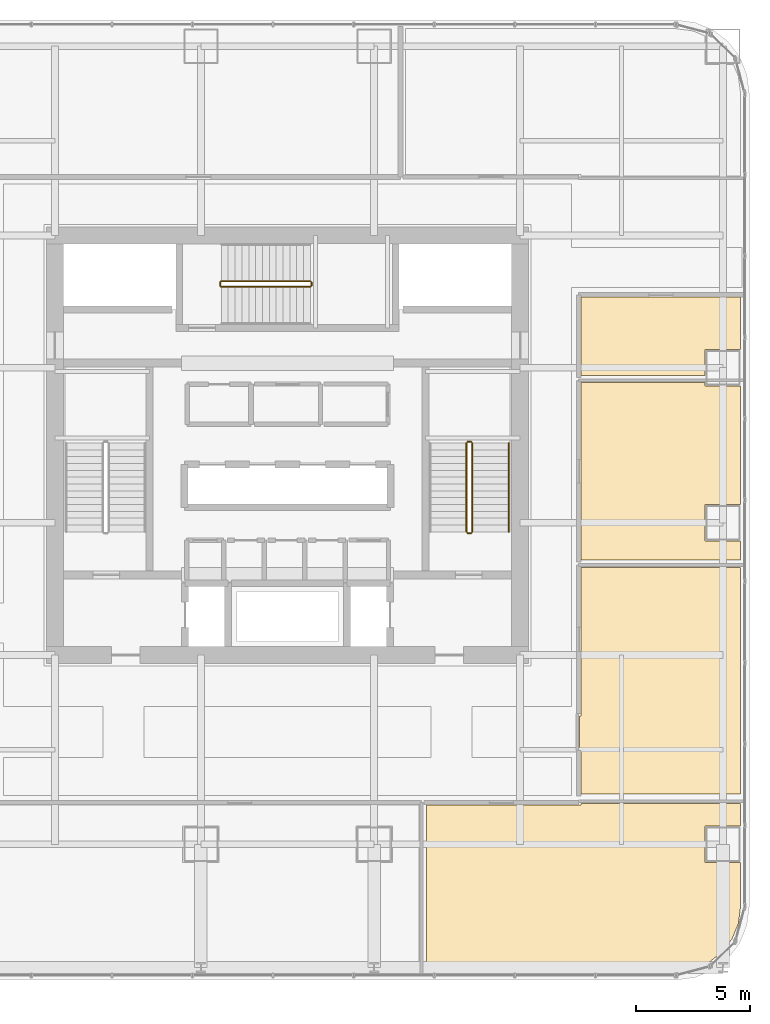
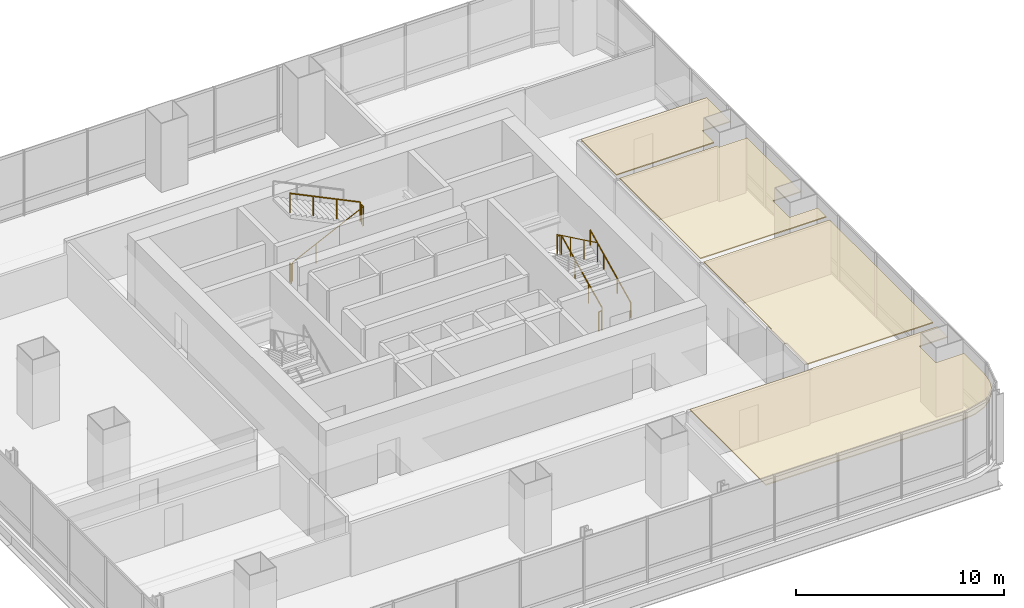
# One storey, part 34 of 35: 9 railings, 4 coverings.
"""IFC4 building model written with IfcOpenShell, lengths in metres."""

import ifcopenshell
import ifcopenshell.guid

model = None  # the IFC model being written
_history = None  # IfcOwnerHistory: only IFC2X3 demands one
_inside = {}  # id of a spatial element -> (the spatial element, [elements in it])
_under = {}  # id of a project, library or spatial element -> (it, [spatial elements below it])
_declared = {}  # id of a project -> (the project, [libraries it declares])
_typed = {}  # id of a type object -> (the type object, [elements of that type])
_made_of = {}  # id of a material, layer set ... -> (it, [elements and type objects made of it])


def new_model(schema):
    """Start an empty IFC model of exactly this schema.

    Asked for "IFC4X3", IfcOpenShell would pick the latest addendum, in which some entities
    have other attributes; the version numbers below select the first issue.
    IFC2X3 requires an IfcOwnerHistory on every rooted entity: one is made here for all.
    """
    global model, _history
    if schema == "IFC4X3":
        model = ifcopenshell.file(schema_version=(4, 3, 0, 0))
    else:
        model = ifcopenshell.file(schema=schema)
    _inside.clear()
    _under.clear()
    _declared.clear()
    _typed.clear()
    _made_of.clear()
    _history = None
    if model.schema == "IFC2X3":
        org = make("IfcOrganization", Name="unknown")
        user = make(
            "IfcPersonAndOrganization",
            ThePerson=make("IfcPerson", FamilyName="unknown"),
            TheOrganization=org,
        )
        app = make(
            "IfcApplication",
            ApplicationDeveloper=org,
            Version="unknown",
            ApplicationFullName="unknown",
            ApplicationIdentifier="unknown",
        )
        _history = make(
            "IfcOwnerHistory",
            OwningUser=user,
            OwningApplication=app,
            ChangeAction="ADDED",
            CreationDate=0,
        )
    return model


def make(cls, **values):
    """One entity of the class cls with the attributes given. An attribute that is None is left unset."""
    return model.create_entity(
        cls, **{name: value for name, value in values.items() if value is not None}
    )


def rooted(cls, **values):
    """An entity with a GlobalId (a new one), such as an element, a storey or a relation."""
    return make(cls, GlobalId=ifcopenshell.guid.new(), OwnerHistory=_history, **values)


def si_unit(unit_type, name, prefix=None):
    """IfcSIUnit, for example si_unit("LENGTHUNIT", "METRE", prefix="MILLI")."""
    return make("IfcSIUnit", UnitType=unit_type, Prefix=prefix, Name=name)


def assignment(units):
    """IfcUnitAssignment: the units of a project."""
    return None if units is None else make("IfcUnitAssignment", Units=units)


def point(xyz):
    """IfcCartesianPoint."""
    return None if xyz is None else make("IfcCartesianPoint", Coordinates=xyz)


def direction(xyz):
    """IfcDirection."""
    return None if xyz is None else make("IfcDirection", DirectionRatios=xyz)


def frame(location, z_axis=None, x_axis=None):
    """IfcAxis2Placement3D, a coordinate frame: its origin and axes. An axis left out is left unset."""
    return make(
        "IfcAxis2Placement3D",
        Location=point(location),
        Axis=direction(z_axis),
        RefDirection=direction(x_axis),
    )


def frame_2d(location, x_axis=None):
    """IfcAxis2Placement2D, a coordinate frame in the plane: its origin and x axis."""
    return make(
        "IfcAxis2Placement2D", Location=point(location), RefDirection=direction(x_axis)
    )


def origin():
    """The frame at (0, 0, 0) with its axes left unset."""
    return frame((0.0, 0.0, 0.0))


def origin_2d():
    """The frame at (0, 0) in the plane with its x axis left unset."""
    return frame_2d((0.0, 0.0))


def place(relative_to, where):
    """IfcLocalPlacement: puts the frame where relative to a parent placement (None: the world)."""
    return make(
        "IfcLocalPlacement", PlacementRelTo=relative_to, RelativePlacement=where
    )


def context(
    kind, dimensions, precision=None, world=None, true_north=None, identifier=None
):
    """IfcGeometricRepresentationContext, for example the 3D "Model" context."""
    return make(
        "IfcGeometricRepresentationContext",
        ContextIdentifier=identifier,
        ContextType=kind,
        CoordinateSpaceDimension=dimensions,
        Precision=precision,
        WorldCoordinateSystem=world,
        TrueNorth=true_north,
    )


def subcontext(parent, identifier, kind, view, scale=None):
    """IfcGeometricRepresentationSubContext, for example "Body" below "Model"."""
    return make(
        "IfcGeometricRepresentationSubContext",
        ContextIdentifier=identifier,
        ContextType=kind,
        ParentContext=parent,
        TargetScale=scale,
        TargetView=view,
    )


def project(units=None, contexts=None):
    """IfcProject with its units and contexts."""
    return rooted(
        "IfcProject",
        Name="project",
        RepresentationContexts=contexts,
        UnitsInContext=assignment(units),
    )


def spatial(cls, under=None, at=None, **own):
    """A site, building, storey or space (cls), placed at a placement, below another one or the project."""
    s = rooted(cls, ObjectPlacement=at, **own)
    if under is not None:
        _under.setdefault(under.id(), (under, []))[1].append(s)
    return s


def polyline(points):
    """IfcPolyline through the points."""
    return make("IfcPolyline", Points=[point(p) for p in points])


def profile(cls, at=None, kind="AREA", **sizes):
    """A parametric profile (cls). Its sizes go by their IFC names, for example OverallWidth=200.0."""
    return make(cls, ProfileType=kind, Position=at, **sizes)


def circle(**sizes):
    """IfcCircleProfileDef."""
    return profile("IfcCircleProfileDef", **sizes)


def outline(outer, holes=None, kind="AREA"):
    """IfcArbitraryClosedProfileDef: a profile drawn as a closed curve; with holes, ...WithVoids."""
    if holes is None:
        return make("IfcArbitraryClosedProfileDef", ProfileType=kind, OuterCurve=outer)
    return make(
        "IfcArbitraryProfileDefWithVoids",
        ProfileType=kind,
        OuterCurve=outer,
        InnerCurves=holes,
    )


def extrude(swept, where, along, depth):
    """IfcExtrudedAreaSolid: the profile swept, set in the frame where, extruded along a direction by depth."""
    return make(
        "IfcExtrudedAreaSolid",
        SweptArea=swept,
        Position=where,
        ExtrudedDirection=direction(along),
        Depth=depth,
    )


def shape(context_of_items, identifier, shape_type, items):
    """IfcShapeRepresentation: the items that make up one representation, for example the "Body"."""
    return make(
        "IfcShapeRepresentation",
        ContextOfItems=context_of_items,
        RepresentationIdentifier=identifier,
        RepresentationType=shape_type,
        Items=items,
    )


def material(Name=None, Category=None):
    """IfcMaterial."""
    return make("IfcMaterial", Name=Name, Category=Category)


def layer(
    of_material, thickness, ventilated=None, Name=None, Category=None, Priority=None
):
    """IfcMaterialLayer: one layer of a wall or slab, of a material (None: an air gap)."""
    return make(
        "IfcMaterialLayer",
        Material=of_material,
        LayerThickness=thickness,
        IsVentilated=ventilated,
        Name=Name,
        Category=Category,
        Priority=Priority,
    )


def layer_set(layers, Name=None):
    """IfcMaterialLayerSet."""
    return make("IfcMaterialLayerSet", MaterialLayers=layers, LayerSetName=Name)


def made_of(thing, what):
    """Note that an element or type object is made of a material, layer set ...; save() writes the relation."""
    if what is not None:
        _made_of.setdefault(what.id(), (what, []))[1].append(thing)
    return thing


def type_object(cls, material=None, **own):
    """A type object (cls), such as IfcWallType, which elements share."""
    return made_of(rooted(cls, **own), material)


def element(
    cls,
    number,
    at=None,
    inside=None,
    cuts=None,
    type_object=None,
    material=None,
    context=None,
    identifier="Body",
    shape_type=None,
    held_by="IfcProductDefinitionShape",
    body=None,
    shapes=None,
    **own,
):
    """One element of the class cls, such as IfcWall. Its Tag is "e" and its number.

    at: its placement. inside: the storey or other place that contains it. cuts: it is an
    opening in that element (IfcRelVoidsElement). A single representation is given by context,
    identifier, shape_type and body (its items); several are given by shapes. held_by: the class
    of the entity that holds the representations. save() writes the other relations.
    """
    e = rooted(cls, Tag="e%d" % number, ObjectPlacement=at, **own)
    if body is not None:
        shapes = [shape(context, identifier, shape_type, body)]
    if shapes is not None:
        e.Representation = make(held_by, Representations=shapes)
    if inside is not None:
        _inside.setdefault(inside.id(), (inside, []))[1].append(e)
    if cuts is not None:
        rooted(
            "IfcRelVoidsElement", RelatingBuildingElement=cuts, RelatedOpeningElement=e
        )
    if type_object is not None:
        _typed.setdefault(type_object.id(), (type_object, []))[1].append(e)
    return made_of(e, material)


def aggregate(whole, parts):
    """IfcRelAggregates: a whole, such as a stair, and the parts it consists of."""
    return rooted("IfcRelAggregates", RelatingObject=whole, RelatedObjects=parts)


def save(model, path):
    """Write the relations noted so far, then the file.

    IfcRelAggregates (storeys below a building ...), IfcRelContainedInSpatialStructure (elements
    in a storey), IfcRelDefinesByType, IfcRelAssociatesMaterial and IfcRelDeclares: one each for
    every whole, place, type object, material and project.
    """
    for whole, parts in _under.values():
        aggregate(whole, parts)
    for where, things in _inside.values():
        rooted(
            "IfcRelContainedInSpatialStructure",
            RelatedElements=things,
            RelatingStructure=where,
        )
    for kind, things in _typed.values():
        rooted("IfcRelDefinesByType", RelatedObjects=things, RelatingType=kind)
    for what, things in _made_of.values():
        rooted("IfcRelAssociatesMaterial", RelatedObjects=things, RelatingMaterial=what)
    for by, libraries in _declared.values():
        rooted("IfcRelDeclares", RelatingContext=by, RelatedDefinitions=libraries)
    model.write(path)


model = new_model("IFC4")

# Units and contexts
model_context = context("Model", 3, precision=1e-05, world=origin(), true_north=direction((0.0, 1.0)))
body_context = subcontext(model_context, "Body", "Model", "MODEL_VIEW")
ifc_project = project(units=[si_unit("LENGTHUNIT", "METRE"), si_unit("AREAUNIT", "SQUARE_METRE"), si_unit("VOLUMEUNIT", "CUBIC_METRE"), si_unit("PLANEANGLEUNIT", "RADIAN"), si_unit("MASSUNIT", "GRAM", prefix="KILO")], contexts=[model_context])

# Site, building, storey
site_placement = place(None, origin())
site = spatial("IfcSite", under=ifc_project, at=site_placement, CompositionType="ELEMENT")
building_placement = place(site_placement, origin())
building = spatial("IfcBuilding", under=site, at=building_placement, Name="Punatoya Terracotta Tower", CompositionType="ELEMENT")
storey_placement = place(building_placement, frame((0.0, 0.0, 52.5)))
storey = spatial("IfcBuildingStorey", under=building, at=storey_placement, Name="L11", CompositionType="ELEMENT", Elevation=52.5)

# Coverings
ifc_material_1 = material(Name="Acoustic Mineral Fibre Ceiling")
ifc_layer = layer(ifc_material_1, 0.06005859375)
ifc_layer_set = layer_set([ifc_layer], Name="Acoustic Mineral Fibre Ceiling")
covering_type = type_object("IfcCoveringType", Name="COV-CEIL-60", PredefinedType="CEILING", material=ifc_layer_set)
covering_1_placement = place(storey_placement, frame((0.0, 0.0, 3.199951171875)))
element("IfcCovering", 1, at=covering_1_placement, inside=storey, type_object=covering_type, Name="L11 Open-Plan Cartography Reference Library Acoustic Ceiling", PredefinedType="CEILING", context=body_context, shape_type="SweptSolid", body=[
    extrude(outline(polyline([(12.8701171875, -15.77001953125), (6.093994140625, -15.77001953125), (6.093994140625, -23.070068359375), (17.025146484375, -23.070068359375), (17.779052734375, -22.970703125), (18.458251953125, -22.689453125), (19.041748046875, -22.24169921875), (19.489501953125, -21.658203125), (19.770751953125, -20.97900390625), (19.8701171875, -20.22509765625), (19.8701171875, -18.300048828125), (18.300048828125, -18.300048828125), (18.300048828125, -16.699951171875), (19.8701171875, -16.699951171875), (19.8701171875, -15.7099609375), (12.8701171875, -15.7099609375), (12.8701171875, -15.77001953125)])), origin(), (0.0, 0.0, 1.0), 0.06005859375),
])
covering_2_placement = place(storey_placement, frame((0.0, 0.0, 3.199951171875)))
element("IfcCovering", 2, at=covering_2_placement, inside=storey, type_object=covering_type, Name="L11 Environmental Research Laboratory Acoustic Ceiling", PredefinedType="CEILING", context=body_context, shape_type="SweptSolid", body=[
    extrude(outline(polyline([(12.81005859375, -13.280029296875), (12.8701171875, -13.280029296875), (12.8701171875, -15.2900390625), (19.8701171875, -15.2900390625), (19.8701171875, -5.35009765625), (12.8701171875, -5.35009765625), (12.8701171875, -11.8701171875), (12.81005859375, -11.8701171875), (12.81005859375, -13.280029296875)])), origin(), (0.0, 0.0, 1.0), 0.06005859375),
])
covering_3_placement = place(storey_placement, frame((0.0, 0.0, 3.199951171875)))
element("IfcCovering", 3, at=covering_3_placement, inside=storey, type_object=covering_type, Name="L11 Open-Plan Technical Seminar Room Acoustic Ceiling", PredefinedType="CEILING", context=body_context, shape_type="SweptSolid", body=[
    extrude(outline(polyline([(19.8701171875, -5.030029296875), (19.8701171875, -4.199951171875), (18.300048828125, -4.199951171875), (18.300048828125, -2.60009765625), (19.8701171875, -2.60009765625), (19.8701171875, 2.60009765625), (18.300048828125, 2.60009765625), (18.300048828125, 2.75), (12.8701171875, 2.75), (12.8701171875, -5.030029296875), (19.8701171875, -5.030029296875)])), origin(), (0.0, 0.0, 1.0), 0.06005859375),
])
covering_4_placement = place(storey_placement, frame((0.0, 0.0, 3.199951171875)))
element("IfcCovering", 4, at=covering_4_placement, inside=storey, type_object=covering_type, Name="L11 Open-Plan Wellness Rest Room Acoustic Ceiling", PredefinedType="CEILING", context=body_context, shape_type="SweptSolid", body=[
    extrude(outline(polyline([(18.300048828125, 3.070068359375), (18.300048828125, 4.199951171875), (19.8701171875, 4.199951171875), (19.8701171875, 6.5), (12.8701171875, 6.5), (12.8701171875, 3.070068359375), (18.300048828125, 3.070068359375)])), origin(), (0.0, 0.0, 1.0), 0.06005859375),
])

# Railings
ifc_material_2 = material(Name="Steel S355", Category="steel")
railing_type_1 = type_object("IfcRailingType", Name="RLG-GRD-1150", PredefinedType="GUARDRAIL", material=ifc_material_2)
railing_1_placement = place(storey_placement, frame((8.10009765625, -3.800048828125, 0.14453125)))
element("IfcRailing", 5, at=railing_1_placement, inside=storey, type_object=railing_type_1, Name="L11 ST-2 stair guard 1", PredefinedType="GUARDRAIL", context=body_context, shape_type="SweptSolid", body=[
    extrude(circle(Radius=0.02392578125, at=origin_2d()), frame((0.0, 0.0, 1.1259765625), z_axis=(0.0, 0.900773802044, 0.434288564841), x_axis=(-1.0, 0.0, 0.0)), (0.0, 0.0, 1.0), 4.329833984375),
    extrude(circle(Radius=0.02099609375, at=origin_2d()), origin(), (0.0, 0.0, 1.0), 1.101806640625),
    extrude(circle(Radius=0.02099609375, at=origin_2d()), frame((0.0, 1.300048828125, 0.626708984375)), (0.0, 0.0, 1.0), 1.101806640625),
    extrude(circle(Radius=0.02099609375, at=origin_2d()), frame((0.0, 2.60009765625, 1.253662109375)), (0.0, 0.0, 1.0), 1.101806640625),
    extrude(circle(Radius=0.02099609375, at=origin_2d()), frame((0.0, 3.900146484375, 1.88037109375)), (0.0, 0.0, 1.0), 1.101806640625),
])
railing_2_placement = place(storey_placement, frame((8.050048828125, 0.14990234375, 2.02490234375)))
element("IfcRailing", 6, at=railing_2_placement, inside=storey, type_object=railing_type_1, Name="L11 ST-2 stair guard 2", PredefinedType="GUARDRAIL", context=body_context, shape_type="SweptSolid", body=[
    extrude(circle(Radius=0.02392578125, at=origin_2d()), frame((0.0, 0.0, 1.1259765625), z_axis=(-1.0, 0.0, 0.0), x_axis=(0.0, -1.0, 0.0)), (0.0, 0.0, 1.0), 0.150146484375),
    extrude(circle(Radius=0.02099609375, at=origin_2d()), origin(), (0.0, 0.0, 1.0), 1.101806640625),
    extrude(circle(Radius=0.02099609375, at=origin_2d()), frame((-0.150146484375, 0.0, 0.0)), (0.0, 0.0, 1.0), 1.101806640625),
])
railing_3_placement = place(storey_placement, frame((7.85009765625, 0.10009765625, 2.169677734375)))
element("IfcRailing", 7, at=railing_3_placement, inside=storey, type_object=railing_type_1, Name="L11 ST-2 stair guard 3", PredefinedType="GUARDRAIL", context=body_context, shape_type="SweptSolid", body=[
    extrude(circle(Radius=0.02392578125, at=origin_2d()), frame((0.0, 0.0, 1.1259765625), z_axis=(0.0, -0.900773802044, 0.434288564841), x_axis=(1.0, 0.0, 0.0)), (0.0, 0.0, 1.0), 4.329833984375),
    extrude(circle(Radius=0.02099609375, at=origin_2d()), origin(), (0.0, 0.0, 1.0), 1.101806640625),
    extrude(circle(Radius=0.02099609375, at=origin_2d()), frame((0.0, -1.300048828125, 0.626708984375)), (0.0, 0.0, 1.0), 1.101806640625),
    extrude(circle(Radius=0.02099609375, at=origin_2d()), frame((0.0, -2.60009765625, 1.253662109375)), (0.0, 0.0, 1.0), 1.101806640625),
    extrude(circle(Radius=0.02099609375, at=origin_2d()), frame((0.0, -3.900146484375, 1.88037109375)), (0.0, 0.0, 1.0), 1.101806640625),
])
railing_4_placement = place(storey_placement, frame((8.050048828125, -3.85009765625, 0.0)))
element("IfcRailing", 8, at=railing_4_placement, inside=storey, type_object=railing_type_1, Name="L11 ST-2 stair guard 4", PredefinedType="GUARDRAIL", context=body_context, shape_type="SweptSolid", body=[
    extrude(circle(Radius=0.02392578125, at=origin_2d()), frame((0.0, 0.0, 1.1259765625), z_axis=(-1.0, 0.0, 0.0), x_axis=(0.0, -1.0, 0.0)), (0.0, 0.0, 1.0), 0.150146484375),
    extrude(circle(Radius=0.02099609375, at=origin_2d()), origin(), (0.0, 0.0, 1.0), 1.101806640625),
    extrude(circle(Radius=0.02099609375, at=origin_2d()), frame((-0.150146484375, 0.0, 0.0)), (0.0, 0.0, 1.0), 1.101806640625),
])
railing_5_placement = place(storey_placement, frame((-2.89990234375, 6.949951171875, 0.14453125)))
element("IfcRailing", 9, at=railing_5_placement, inside=storey, type_object=railing_type_1, Name="L11 ST-3 stair guard 1", PredefinedType="GUARDRAIL", context=body_context, shape_type="SweptSolid", body=[
    extrude(circle(Radius=0.02392578125, at=origin_2d()), frame((0.0, 0.0, 1.1259765625), z_axis=(0.900763166376, 0.0, 0.434310623978), x_axis=(0.0, 1.0, 0.0)), (0.0, 0.0, 1.0), 4.32958984375),
    extrude(circle(Radius=0.02099609375, at=origin_2d()), origin(), (0.0, 0.0, 1.0), 1.101806640625),
    extrude(circle(Radius=0.02099609375, at=origin_2d()), frame((1.300048828125, 0.0, 0.626708984375)), (0.0, 0.0, 1.0), 1.101806640625),
    extrude(circle(Radius=0.02099609375, at=origin_2d()), frame((2.599853515625, 0.0, 1.253662109375)), (0.0, 0.0, 1.0), 1.101806640625),
    extrude(circle(Radius=0.02099609375, at=origin_2d()), frame((3.89990234375, 0.0, 1.88037109375)), (0.0, 0.0, 1.0), 1.101806640625),
])
railing_6_placement = place(storey_placement, frame((1.050048828125, 7.0, 2.02490234375)))
element("IfcRailing", 10, at=railing_6_placement, inside=storey, type_object=railing_type_1, Name="L11 ST-3 stair guard 2", PredefinedType="GUARDRAIL", context=body_context, shape_type="SweptSolid", body=[
    extrude(circle(Radius=0.02392578125, at=origin_2d()), frame((0.0, 0.0, 1.1259765625), z_axis=(0.0, 1.0, 0.0), x_axis=(-1.0, 0.0, 0.0)), (0.0, 0.0, 1.0), 0.14990234375),
    extrude(circle(Radius=0.02099609375, at=origin_2d()), origin(), (0.0, 0.0, 1.0), 1.101806640625),
    extrude(circle(Radius=0.02099609375, at=origin_2d()), frame((0.0, 0.14990234375, 0.0)), (0.0, 0.0, 1.0), 1.101806640625),
])
railing_7_placement = place(storey_placement, frame((1.0, 7.199951171875, 2.169677734375)))
element("IfcRailing", 11, at=railing_7_placement, inside=storey, type_object=railing_type_1, Name="L11 ST-3 stair guard 3", PredefinedType="GUARDRAIL", context=body_context, shape_type="SweptSolid", body=[
    extrude(circle(Radius=0.02392578125, at=origin_2d()), frame((0.0, 0.0, 1.1259765625), z_axis=(-0.900763166376, 0.0, 0.434310623978), x_axis=(0.0, -1.0, 0.0)), (0.0, 0.0, 1.0), 4.32958984375),
    extrude(circle(Radius=0.02099609375, at=origin_2d()), origin(), (0.0, 0.0, 1.0), 1.101806640625),
    extrude(circle(Radius=0.02099609375, at=origin_2d()), frame((-1.300048828125, 0.0, 0.626708984375)), (0.0, 0.0, 1.0), 1.101806640625),
    extrude(circle(Radius=0.02099609375, at=origin_2d()), frame((-2.599853515625, 0.0, 1.253662109375)), (0.0, 0.0, 1.0), 1.101806640625),
    extrude(circle(Radius=0.02099609375, at=origin_2d()), frame((-3.89990234375, 0.0, 1.88037109375)), (0.0, 0.0, 1.0), 1.101806640625),
])
railing_8_placement = place(storey_placement, frame((-2.949951171875, 7.0, 0.0)))
element("IfcRailing", 12, at=railing_8_placement, inside=storey, type_object=railing_type_1, Name="L11 ST-3 stair guard 4", PredefinedType="GUARDRAIL", context=body_context, shape_type="SweptSolid", body=[
    extrude(circle(Radius=0.02392578125, at=origin_2d()), frame((0.0, 0.0, 1.1259765625), z_axis=(0.0, 1.0, 0.0), x_axis=(-1.0, 0.0, 0.0)), (0.0, 0.0, 1.0), 0.14990234375),
    extrude(circle(Radius=0.02099609375, at=origin_2d()), origin(), (0.0, 0.0, 1.0), 1.101806640625),
    extrude(circle(Radius=0.02099609375, at=origin_2d()), frame((0.0, 0.14990234375, 0.0)), (0.0, 0.0, 1.0), 1.101806640625),
])
railing_type_2 = type_object("IfcRailingType", Name="RLG-HND-900", PredefinedType="HANDRAIL", material=ifc_material_2)
railing_9_placement = place(storey_placement, frame((9.699951171875, -3.800048828125, 0.14453125)))
element("IfcRailing", 13, at=railing_9_placement, inside=storey, type_object=railing_type_2, Name="L11 ST-2 stair handrail 1", PredefinedType="HANDRAIL", context=body_context, shape_type="SweptSolid", body=[
    extrude(circle(Radius=0.02392578125, at=origin_2d()), frame((0.0, 0.0, 0.8759765625), z_axis=(0.0, 0.900773802044, 0.434288564841), x_axis=(-1.0, 0.0, 0.0)), (0.0, 0.0, 1.0), 4.329833984375),
    extrude(circle(Radius=0.02099609375, at=origin_2d()), origin(), (0.0, 0.0, 1.0), 0.851806640625),
    extrude(circle(Radius=0.02099609375, at=origin_2d()), frame((0.0, 1.300048828125, 0.626708984375)), (0.0, 0.0, 1.0), 0.851806640625),
    extrude(circle(Radius=0.02099609375, at=origin_2d()), frame((0.0, 2.60009765625, 1.253662109375)), (0.0, 0.0, 1.0), 0.851806640625),
    extrude(circle(Radius=0.02099609375, at=origin_2d()), frame((0.0, 3.900146484375, 1.88037109375)), (0.0, 0.0, 1.0), 0.851806640625),
])

save(model, "model.ifc")
